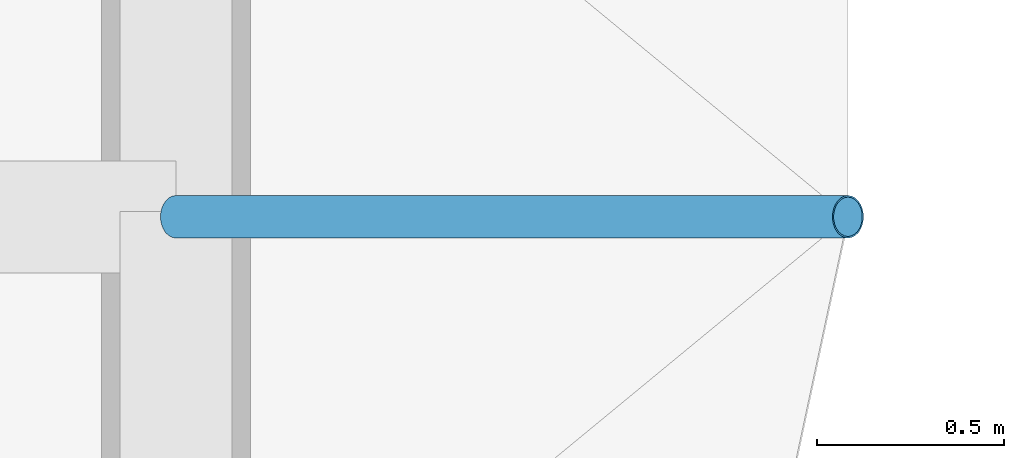
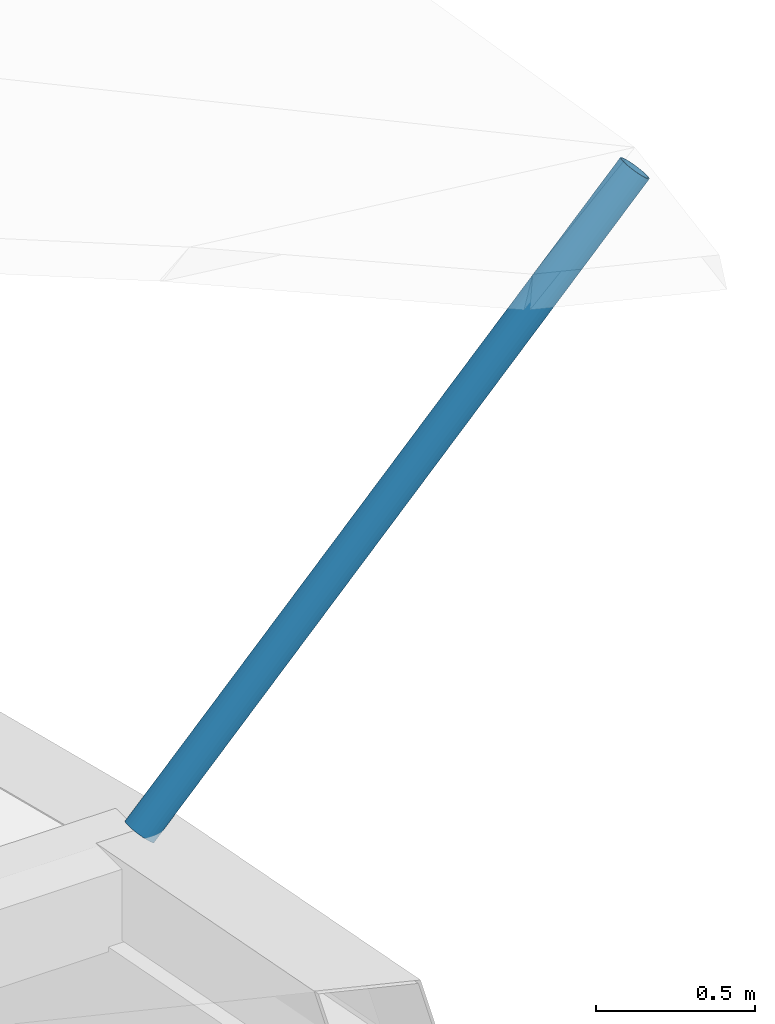
# One storey, part 76 of 111: 1 discrete accessory.
"""IFC4 building model written with IfcOpenShell, lengths in metres."""

from ifc_helpers import new_model, si_unit, direction, frame, origin, origin_2d, place, context, subcontext, project, spatial, hollow_circle, extrude, material, material_profile, profile_set, type_object, element, save


model = new_model("IFC4")

# Units and contexts
model_context = context("Model", 3, precision=1e-05, world=origin(), true_north=direction((0.0, 1.0)))
body_context = subcontext(model_context, "Body", "Model", "MODEL_VIEW")
ifc_project = project(units=[si_unit("LENGTHUNIT", "METRE"), si_unit("AREAUNIT", "SQUARE_METRE"), si_unit("VOLUMEUNIT", "CUBIC_METRE"), si_unit("PLANEANGLEUNIT", "RADIAN"), si_unit("MASSUNIT", "GRAM", prefix="KILO")], contexts=[model_context])

# Site, building, storey
site_placement = place(None, origin())
site = spatial("IfcSite", under=ifc_project, at=site_placement, CompositionType="ELEMENT")
building_placement = place(site_placement, origin())
building = spatial("IfcBuilding", under=site, at=building_placement, Name="Rain Tree Exposition and Congress Centre", CompositionType="ELEMENT")
storey_placement = place(building_placement, frame((0.0, 0.0, 19.5)))
storey = spatial("IfcBuildingStorey", under=building, at=storey_placement, Name="RF", CompositionType="ELEMENT", Elevation=19.5)

# Discrete accessory
ifc_material = material(Name="Steel S355J2H", Category="steel")
ifc_material_profile = material_profile(ifc_material, hollow_circle(Radius=0.05712890625, WallThickness=0.00439453125, at=origin_2d()), Name="CHS 114x4.5")
ifc_profile_set = profile_set([ifc_material_profile], Name="Steel S355J2H")
discrete_accessory_type = type_object("IfcDiscreteAccessoryType", Name="Roof skin post CHS 114x4.5", PredefinedType="BRACKET", material=ifc_profile_set)
discrete_accessory_placement = place(storey_placement, frame((126.0, 184.800048828125, 3.22412109375), z_axis=(0.683965814736, 0.0, 0.729514060367), x_axis=(0.0, 1.0, 0.0)))
element("IfcDiscreteAccessory", 1, at=discrete_accessory_placement, inside=storey, type_object=discrete_accessory_type, Name="Roof skin post A165", PredefinedType="BRACKET", context=body_context, shape_type="SweptSolid", body=[
    extrude(hollow_circle(Radius=0.05712890625, WallThickness=0.00439453125, at=origin_2d()), origin(), (0.0, 0.0, 1.0), 2.6318359375),
])

save(model, "model.ifc")
